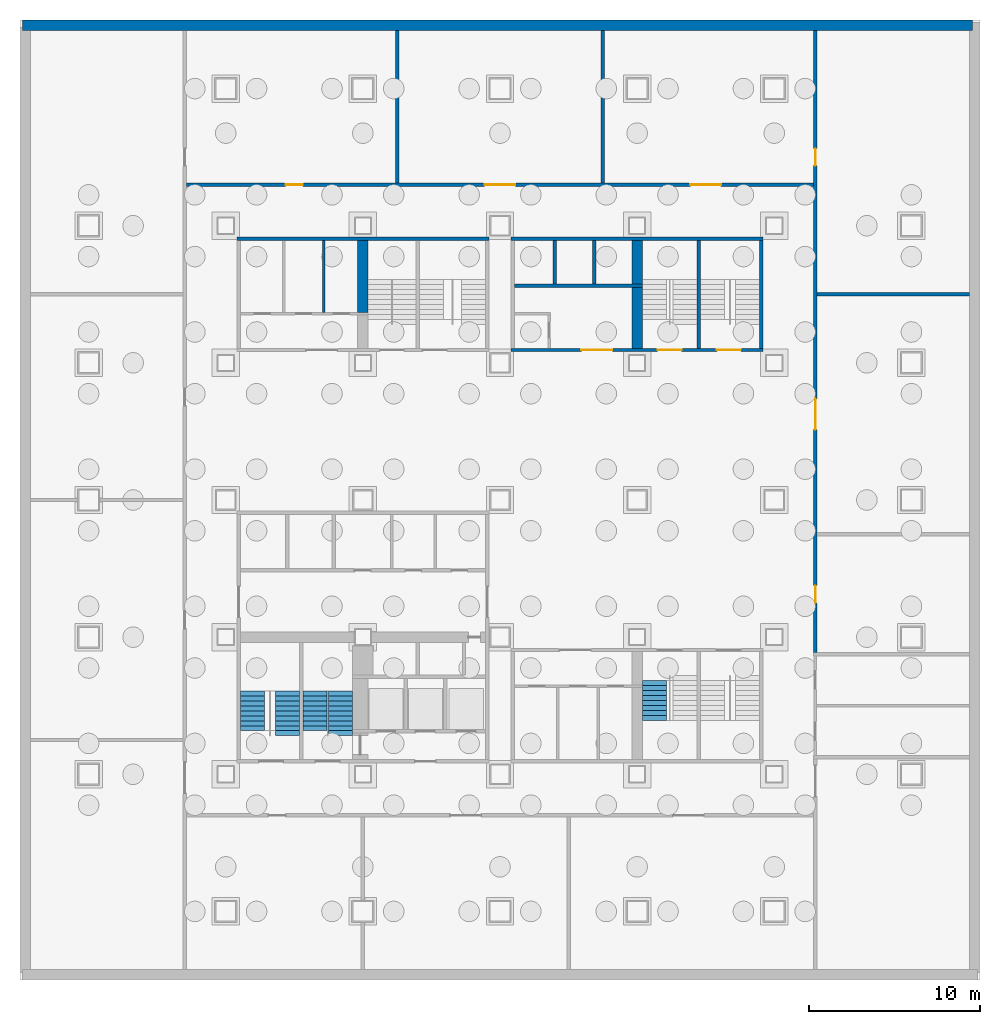
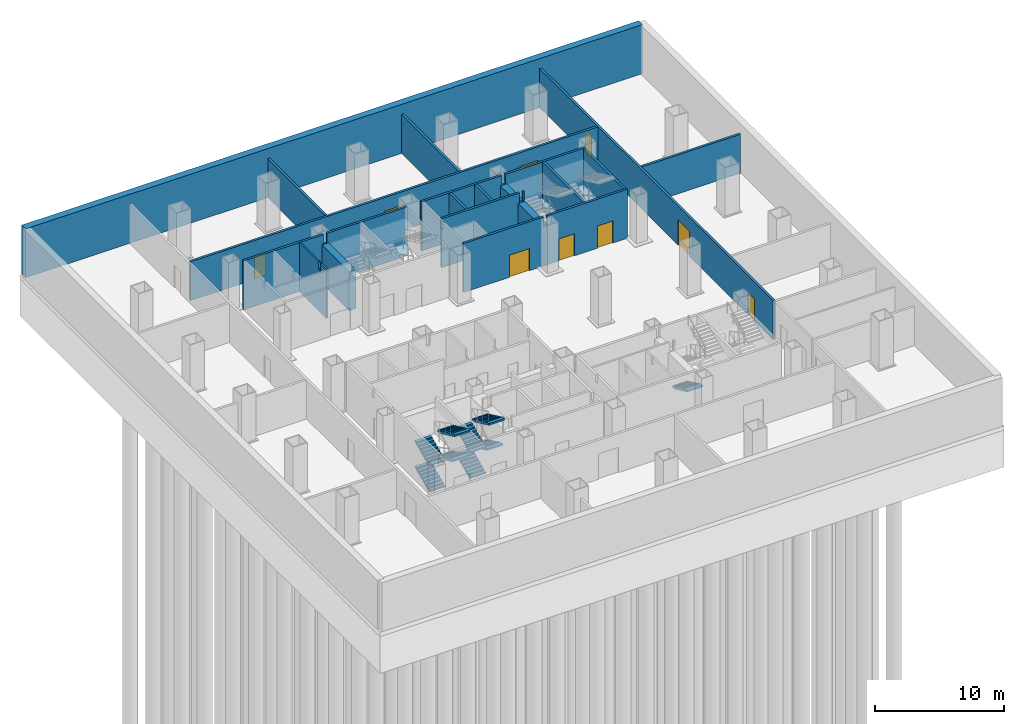
# One storey, part 5 of 9: 18 walls, 9 doors, 9 stair flights, 9 openings, 3 elements without a shape of their own.
"""IFC4 building model written with IfcOpenShell, lengths in metres."""

from ifc_helpers import new_model, si_unit, direction, frame, frame_2d, origin, place, context, subcontext, project, spatial, polyline, rectangle, outline, extrude, material, layer, layer_set, type_object, element, fill, aggregate, save


model = new_model("IFC4")

# Units and contexts
model_context = context("Model", 3, precision=1e-05, world=origin(), true_north=direction((0.0, 1.0)))
body_context = subcontext(model_context, "Body", "Model", "MODEL_VIEW")
ifc_project = project(units=[si_unit("LENGTHUNIT", "METRE"), si_unit("AREAUNIT", "SQUARE_METRE"), si_unit("VOLUMEUNIT", "CUBIC_METRE"), si_unit("PLANEANGLEUNIT", "RADIAN"), si_unit("MASSUNIT", "GRAM", prefix="KILO")], contexts=[model_context])

# Site, building, storey
site_placement = place(None, origin())
site = spatial("IfcSite", under=ifc_project, at=site_placement, CompositionType="ELEMENT")
building_placement = place(site_placement, origin())
building = spatial("IfcBuilding", under=site, at=building_placement, Name="Immortelle Media Tower", CompositionType="ELEMENT")
storey_placement = place(building_placement, frame((0.0, 0.0, -5.0)))
storey = spatial("IfcBuildingStorey", under=building, at=storey_placement, Name="B1", CompositionType="ELEMENT", Elevation=-5.0)

# Walls
ifc_material_1 = material(Name="Fire-rated gypsum board", Category="gypsum")
ifc_layer_1 = layer(ifc_material_1, 0.02490234375)
ifc_material_2 = material(Name="Steel ASTM A653 SS Gr 50 stud frame with mineral wool", Category="steel")
ifc_layer_2 = layer(ifc_material_2, 0.10009765625)
ifc_layer_3 = layer(ifc_material_1, 0.02490234375)
ifc_layer_set_1 = layer_set([ifc_layer_1, ifc_layer_2, ifc_layer_3], Name="Steel ASTM A653 SS Gr 50 stud frame with mineral wool")
wall_type_1 = type_object("IfcWallType", Name="Core partition 150", PredefinedType="PARTITIONING", material=ifc_layer_set_1)
wall_1_placement = place(storey_placement, frame((13.72509765625, 34.949951171875, 0.0), z_axis=(0.0, 0.0, 1.0), x_axis=(0.0, 1.0, 0.0)))
element("IfcWall", 1, at=wall_1_placement, inside=storey, type_object=wall_type_1, Name="Core partition NW", PredefinedType="PARTITIONING", context=body_context, shape_type="SweptSolid", body=[
    extrude(outline(polyline([(0.0, 0.0), (4.199951171875, 0.0), (4.199951171875, 4.64990234375), (1.18359375, 4.64990234375), (1.1826171875, 3.950927734375), (0.91748046875, 3.950927734375), (0.91650390625, 4.64990234375), (0.0, 4.64990234375), (0.0, 0.0)])), frame((0.0, 0.074951171875, 0.0), z_axis=(0.0, -1.0, 0.0), x_axis=(1.0, 0.0, 0.0)), (0.0, 0.0, 1.0), 0.14990234375),
])
ifc_layer_4 = layer(ifc_material_1, 0.03759765625)
ifc_layer_5 = layer(ifc_material_2, 0.125)
ifc_layer_6 = layer(ifc_material_1, 0.03759765625)
ifc_layer_set_2 = layer_set([ifc_layer_4, ifc_layer_5, ifc_layer_6], Name="Steel ASTM A653 SS Gr 50 stud frame with mineral wool")
wall_type_2 = type_object("IfcWallType", Name="Core shaft wall 200", PredefinedType="PARTITIONING", material=ifc_layer_set_2)
wall_2_placement = place(storey_placement, frame((24.85009765625, 36.5, 0.0), z_axis=(0.0, 0.0, 1.0), x_axis=(1.0, 0.0, 0.0)))
element("IfcWall", 2, at=wall_2_placement, inside=storey, type_object=wall_type_2, Name="Core shaft wall NE", PredefinedType="PARTITIONING", context=body_context, shape_type="SweptSolid", body=[
    extrude(outline(polyline([(0.0, 0.0), (7.449951171875, 0.0), (7.449951171875, 4.64990234375), (7.30859375, 4.64990234375), (7.3076171875, 3.717041015625), (6.992431640625, 3.717041015625), (6.991455078125, 4.64990234375), (0.0, 4.64990234375), (0.0, 0.0)])), frame((0.0, 0.10009765625, 0.0), z_axis=(0.0, -1.0, 0.0), x_axis=(1.0, 0.0, 0.0)), (0.0, 0.0, 1.0), 0.199951171875),
])
for number, where, z_axis, x_axis, name in (
    (3, (27.199951171875, 36.60009765625, 0.0), (0.0, 0.0, 1.0), (0.0, 1.0, 0.0), "Core shaft wall NE"),
    (4, (29.5, 36.60009765625, 0.0), (0.0, 0.0, 1.0), (0.0, 1.0, 0.0), "Core shaft wall NE"),
):
    element("IfcWall", number, at=place(storey_placement, frame(where, z_axis=z_axis, x_axis=x_axis)), inside=storey, type_object=wall_type_2, Name=name, PredefinedType="PARTITIONING", context=body_context, shape_type="SweptSolid", body=[
        extrude(rectangle(XDim=2.5498046875, YDim=0.199951171875, at=frame_2d((1.27490234375, 0.0))), origin(), (0.0, 0.0, 1.0), 4.64990234375),
    ])

# Wall, openings, doors
ifc_layer_7 = layer(ifc_material_1, 0.03759765625)
ifc_layer_8 = layer(ifc_material_2, 0.125)
ifc_layer_9 = layer(ifc_material_1, 0.03759765625)
ifc_layer_set_3 = layer_set([ifc_layer_7, ifc_layer_8, ifc_layer_9], Name="Steel ASTM A653 SS Gr 50 stud frame with mineral wool")
wall_type_3 = type_object("IfcWallType", Name="Fire-resisting wall 200", PredefinedType="PARTITIONING", material=ifc_layer_set_3)
wall_3_placement = place(storey_placement, frame((5.699951171875, 42.39990234375, 0.0), z_axis=(0.0, 0.0, 1.0), x_axis=(1.0, 0.0, 0.0)))
wall_3 = element("IfcWall", 5, at=wall_3_placement, inside=storey, type_object=wall_type_3, Name="Fire-resisting wall B1-9", PredefinedType="PARTITIONING", context=body_context, shape_type="SweptSolid", body=[
    extrude(rectangle(XDim=36.60009765625, YDim=0.199951171875, at=frame_2d((18.300048828125, 0.0))), origin(), (0.0, 0.0, 1.0), 3.699951171875),
])
opening_1_placement = place(wall_3_placement, frame((6.800048828125, 0.0, 0.0), z_axis=(0.0, 0.0, 1.0), x_axis=(-1.0, 0.0, 0.0)))
opening_1 = element("IfcOpeningElement", 6, at=opening_1_placement, cuts=wall_3, Name="Opening B1-X14", PredefinedType="OPENING", context=body_context, shape_type="SweptSolid", body=[
    extrude(rectangle(XDim=1.0, YDim=2.10009765625, at=frame_2d((0.5, 1.050048828125))), frame((0.0, 0.10986328125, 0.0), z_axis=(0.0, -1.0, 0.0), x_axis=(1.0, 0.0, 0.0)), (0.0, 0.0, 1.0), 0.219970703125),
])
opening_2_placement = place(wall_3_placement, frame((17.39990234375, 0.0, 0.0)))
opening_2 = element("IfcOpeningElement", 7, at=opening_2_placement, cuts=wall_3, Name="Opening B1-X15", PredefinedType="OPENING", context=body_context, shape_type="SweptSolid", body=[
    extrude(rectangle(XDim=1.800048828125, YDim=2.39990234375, at=frame_2d((0.89990234375, 1.199951171875))), frame((0.0, 0.10986328125, 0.0), z_axis=(0.0, -1.0, 0.0), x_axis=(1.0, 0.0, 0.0)), (0.0, 0.0, 1.0), 0.219970703125),
])
opening_3_placement = place(wall_3_placement, frame((29.39990234375, 0.0, 0.0)))
opening_3 = element("IfcOpeningElement", 8, at=opening_3_placement, cuts=wall_3, Name="Opening B1-X16", PredefinedType="OPENING", context=body_context, shape_type="SweptSolid", body=[
    extrude(rectangle(XDim=1.800048828125, YDim=2.39990234375, at=frame_2d((0.89990234375, 1.199951171875))), frame((0.0, 0.10986328125, 0.0), z_axis=(0.0, -1.0, 0.0), x_axis=(1.0, 0.0, 0.0)), (0.0, 0.0, 1.0), 0.219970703125),
])
ifc_material_3 = material(Name="Galvanised steel door leaf and frame ASTM A653", Category="steel")
door_type_1 = type_object("IfcDoorType", Name="Fire door 1000 x 2100", OperationType="NOTDEFINED", PredefinedType="DOOR", material=ifc_material_3)
door_1_placement = place(opening_1_placement, origin())
door_1 = element("IfcDoor", 9, at=door_1_placement, inside=storey, type_object=door_type_1, Name="Door B1-X14", OperationType="SINGLE_SWING_RIGHT", OverallHeight=2.10009765625, OverallWidth=1.0, PredefinedType="DOOR", context=body_context, shape_type="SweptSolid", body=[
    extrude(rectangle(XDim=1.0, YDim=2.10009765625, at=frame_2d((0.5, 1.050048828125))), frame((0.0, 0.02490234375, 0.0), z_axis=(0.0, -1.0, 0.0), x_axis=(1.0, 0.0, 0.0)), (0.0, 0.0, 1.0), 0.050048828125),
])
fill(opening_1, door_1)
door_type_2 = type_object("IfcDoorType", Name="Fire double door 1800 x 2400", OperationType="DOUBLE_DOOR_SINGLE_SWING", PredefinedType="DOOR", material=ifc_material_3)
door_2_placement = place(opening_2_placement, origin())
door_2 = element("IfcDoor", 10, at=door_2_placement, inside=storey, type_object=door_type_2, Name="Door B1-X15", OperationType="DOUBLE_DOOR_SINGLE_SWING", OverallHeight=2.39990234375, OverallWidth=1.800048828125, PredefinedType="DOOR", context=body_context, shape_type="SweptSolid", body=[
    extrude(rectangle(XDim=1.800048828125, YDim=2.39990234375, at=frame_2d((0.89990234375, 1.199951171875))), frame((0.0, 0.02490234375, 0.0), z_axis=(0.0, -1.0, 0.0), x_axis=(1.0, 0.0, 0.0)), (0.0, 0.0, 1.0), 0.050048828125),
])
fill(opening_2, door_2)
door_3_placement = place(opening_3_placement, origin())
door_3 = element("IfcDoor", 11, at=door_3_placement, inside=storey, type_object=door_type_2, Name="Door B1-X16", OperationType="DOUBLE_DOOR_SINGLE_SWING", OverallHeight=2.39990234375, OverallWidth=1.800048828125, PredefinedType="DOOR", context=body_context, shape_type="SweptSolid", body=[
    extrude(rectangle(XDim=1.800048828125, YDim=2.39990234375, at=frame_2d((0.89990234375, 1.199951171875))), frame((0.0, 0.02490234375, 0.0), z_axis=(0.0, -1.0, 0.0), x_axis=(1.0, 0.0, 0.0)), (0.0, 0.0, 1.0), 0.050048828125),
])
fill(opening_3, door_3)

# Walls
for number, where, z_axis, x_axis, name in (
    (12, (18.0, 42.5, 0.0), (0.0, 0.0, 1.0), (0.0, 1.0, 0.0), "Fire-resisting wall B1-11"),
    (13, (30.0, 42.5, 0.0), (0.0, 0.0, 1.0), (0.0, 1.0, 0.0), "Fire-resisting wall B1-13"),
):
    element("IfcWall", number, at=place(storey_placement, frame(where, z_axis=z_axis, x_axis=x_axis)), inside=storey, type_object=wall_type_3, Name=name, PredefinedType="PARTITIONING", context=body_context, shape_type="SweptSolid", body=[
        extrude(rectangle(XDim=8.89990234375, YDim=0.199951171875, at=frame_2d((4.449951171875, 0.0))), origin(), (0.0, 0.0, 1.0), 3.699951171875),
    ])

# Wall, openings, doors
wall_4_placement = place(storey_placement, frame((42.39990234375, 15.10009765625, 0.0), z_axis=(0.0, 0.0, 1.0), x_axis=(0.0, 1.0, 0.0)))
wall_4 = element("IfcWall", 14, at=wall_4_placement, inside=storey, type_object=wall_type_3, Name="Fire-resisting wall B1-18", PredefinedType="PARTITIONING", context=body_context, shape_type="SweptSolid", body=[
    extrude(rectangle(XDim=36.2998046875, YDim=0.199951171875, at=frame_2d((18.14990234375, 0.0))), origin(), (0.0, 0.0, 1.0), 3.699951171875),
])
opening_4_placement = place(wall_4_placement, frame((2.89990234375, 0.0, 0.0)))
opening_4 = element("IfcOpeningElement", 15, at=opening_4_placement, cuts=wall_4, Name="Opening B1-X11", PredefinedType="OPENING", context=body_context, shape_type="SweptSolid", body=[
    extrude(rectangle(XDim=1.0, YDim=2.10009765625, at=frame_2d((0.5, 1.050048828125))), frame((0.0, 0.10986328125, 0.0), z_axis=(0.0, -1.0, 0.0), x_axis=(1.0, 0.0, 0.0)), (0.0, 0.0, 1.0), 0.219970703125),
])
opening_5_placement = place(wall_4_placement, frame((13.0, 0.0, 0.0)))
opening_5 = element("IfcOpeningElement", 16, at=opening_5_placement, cuts=wall_4, Name="Opening B1-X12", PredefinedType="OPENING", context=body_context, shape_type="SweptSolid", body=[
    extrude(rectangle(XDim=1.800048828125, YDim=2.39990234375, at=frame_2d((0.89990234375, 1.199951171875))), frame((0.0, 0.10986328125, 0.0), z_axis=(0.0, -1.0, 0.0), x_axis=(1.0, 0.0, 0.0)), (0.0, 0.0, 1.0), 0.219970703125),
])
opening_6_placement = place(wall_4_placement, frame((28.39990234375, 0.0, 0.0)))
opening_6 = element("IfcOpeningElement", 17, at=opening_6_placement, cuts=wall_4, Name="Opening B1-X13", PredefinedType="OPENING", context=body_context, shape_type="SweptSolid", body=[
    extrude(rectangle(XDim=1.0, YDim=2.10009765625, at=frame_2d((0.5, 1.050048828125))), frame((0.0, 0.10986328125, 0.0), z_axis=(0.0, -1.0, 0.0), x_axis=(1.0, 0.0, 0.0)), (0.0, 0.0, 1.0), 0.219970703125),
])
door_4_placement = place(opening_4_placement, origin())
door_4 = element("IfcDoor", 18, at=door_4_placement, inside=storey, type_object=door_type_1, Name="Door B1-X11", OperationType="SINGLE_SWING_LEFT", OverallHeight=2.10009765625, OverallWidth=1.0, PredefinedType="DOOR", context=body_context, shape_type="SweptSolid", body=[
    extrude(rectangle(XDim=1.0, YDim=2.10009765625, at=frame_2d((0.5, 1.050048828125))), frame((0.0, 0.02490234375, 0.0), z_axis=(0.0, -1.0, 0.0), x_axis=(1.0, 0.0, 0.0)), (0.0, 0.0, 1.0), 0.050048828125),
])
fill(opening_4, door_4)
door_5_placement = place(opening_6_placement, origin())
door_5 = element("IfcDoor", 19, at=door_5_placement, inside=storey, type_object=door_type_1, Name="Door B1-X13", OperationType="SINGLE_SWING_LEFT", OverallHeight=2.10009765625, OverallWidth=1.0, PredefinedType="DOOR", context=body_context, shape_type="SweptSolid", body=[
    extrude(rectangle(XDim=1.0, YDim=2.10009765625, at=frame_2d((0.5, 1.050048828125))), frame((0.0, 0.02490234375, 0.0), z_axis=(0.0, -1.0, 0.0), x_axis=(1.0, 0.0, 0.0)), (0.0, 0.0, 1.0), 0.050048828125),
])
fill(opening_6, door_5)
door_6_placement = place(opening_5_placement, origin())
door_6 = element("IfcDoor", 20, at=door_6_placement, inside=storey, type_object=door_type_2, Name="Door B1-X12", OperationType="DOUBLE_DOOR_SINGLE_SWING", OverallHeight=2.39990234375, OverallWidth=1.800048828125, PredefinedType="DOOR", context=body_context, shape_type="SweptSolid", body=[
    extrude(rectangle(XDim=1.800048828125, YDim=2.39990234375, at=frame_2d((0.89990234375, 1.199951171875))), frame((0.0, 0.02490234375, 0.0), z_axis=(0.0, -1.0, 0.0), x_axis=(1.0, 0.0, 0.0)), (0.0, 0.0, 1.0), 0.050048828125),
])
fill(opening_5, door_6)

# Walls
wall_5_placement = place(storey_placement, frame((42.5, 36.0, 0.0), z_axis=(0.0, 0.0, 1.0), x_axis=(1.0, 0.0, 0.0)))
element("IfcWall", 21, at=wall_5_placement, inside=storey, type_object=wall_type_3, Name="Fire-resisting wall B1-21", PredefinedType="PARTITIONING", context=body_context, shape_type="SweptSolid", body=[
    extrude(rectangle(XDim=8.89990234375, YDim=0.199951171875, at=frame_2d((4.449951171875, 0.0))), origin(), (0.0, 0.0, 1.0), 3.699951171875),
])
ifc_material_4 = material(Name="Concrete C60", Category="concrete")
ifc_layer_10 = layer(ifc_material_4, 0.60009765625)
ifc_layer_set_4 = layer_set([ifc_layer_10], Name="Concrete C60")
wall_type_4 = type_object("IfcWallType", Name="Retaining wall 600", PredefinedType="SOLIDWALL", material=ifc_layer_set_4)
wall_6_placement = place(storey_placement, frame((-3.85009765625, 51.699951171875, 0.0), z_axis=(0.0, 0.0, 1.0), x_axis=(1.0, 0.0, 0.0)))
element("IfcWall", 22, at=wall_6_placement, inside=storey, type_object=wall_type_4, Name="Retaining wall 3", PredefinedType="SOLIDWALL", context=body_context, shape_type="SweptSolid", body=[
    extrude(rectangle(XDim=55.400146484375, YDim=0.60009765625, at=frame_2d((27.7001953125, 0.0))), origin(), (0.0, 0.0, 1.0), 4.64990234375),
])
ifc_layer_11 = layer(ifc_material_4, 0.199951171875)
ifc_layer_set_5 = layer_set([ifc_layer_11], Name="Concrete C60")
wall_type_5 = type_object("IfcWallType", Name="Stair shaft wall 200", PredefinedType="PARTITIONING", material=ifc_layer_set_5)
wall_7_placement = place(storey_placement, frame((8.64990234375, 39.25, 0.0), z_axis=(0.0, 0.0, 1.0), x_axis=(1.0, 0.0, 0.0)))
element("IfcWall", 23, at=wall_7_placement, inside=storey, type_object=wall_type_5, Name="Stair shaft wall NW", PredefinedType="PARTITIONING", context=body_context, shape_type="SweptSolid", body=[
    extrude(outline(polyline([(0.0, 0.0), (14.7001953125, 0.0), (14.699951171875, 4.64990234375), (7.508544921875, 4.64990234375), (7.507568359375, 3.717041015625), (7.1923828125, 3.717041015625), (7.19140625, 4.64990234375), (0.0, 4.64990234375), (0.0, 0.0)])), frame((0.0, 0.10009765625, 0.0), z_axis=(0.0, -1.0, 0.0), x_axis=(1.0, 0.0, 0.0)), (0.0, 0.0, 1.0), 0.199951171875),
])

# Wall, openings, doors
wall_8_placement = place(storey_placement, frame((24.64990234375, 32.75, 0.0), z_axis=(0.0, 0.0, 1.0), x_axis=(1.0, 0.0, 0.0)))
wall_8 = element("IfcWall", 24, at=wall_8_placement, inside=storey, type_object=wall_type_5, Name="Stair shaft wall NE", PredefinedType="PARTITIONING", context=body_context, shape_type="SweptSolid", body=[
    extrude(outline(polyline([(0.0, 0.0), (14.7001953125, 0.0), (14.699951171875, 4.64990234375), (7.508544921875, 4.64990234375), (7.507568359375, 3.717041015625), (7.1923828125, 3.717041015625), (7.19140625, 4.64990234375), (0.0, 4.64990234375), (0.0, 0.0)])), frame((0.0, 0.10009765625, 0.0), z_axis=(0.0, -1.0, 0.0), x_axis=(1.0, 0.0, 0.0)), (0.0, 0.0, 1.0), 0.199951171875),
])
opening_7_placement = place(wall_8_placement, frame((4.10009765625, 0.0, 0.0)))
opening_7 = element("IfcOpeningElement", 25, at=opening_7_placement, cuts=wall_8, Name="Opening B1-K027", PredefinedType="OPENING", context=body_context, shape_type="SweptSolid", body=[
    extrude(rectangle(XDim=1.800048828125, YDim=2.10009765625, at=frame_2d((0.89990234375, 1.050048828125))), frame((0.0, 0.10986328125, 0.0), z_axis=(0.0, -1.0, 0.0), x_axis=(1.0, 0.0, 0.0)), (0.0, 0.0, 1.0), 0.219970703125),
])
opening_8_placement = place(wall_8_placement, frame((8.550048828125, 0.0, 0.0)))
opening_8 = element("IfcOpeningElement", 26, at=opening_8_placement, cuts=wall_8, Name="Opening B1-K028", PredefinedType="OPENING", context=body_context, shape_type="SweptSolid", body=[
    extrude(rectangle(XDim=1.39990234375, YDim=2.10009765625, at=frame_2d((0.699951171875, 1.050048828125))), frame((0.0, 0.10986328125, 0.0), z_axis=(0.0, -1.0, 0.0), x_axis=(1.0, 0.0, 0.0)), (0.0, 0.0, 1.0), 0.219970703125),
])
opening_9_placement = place(wall_8_placement, frame((12.0, 0.0, 0.0)))
opening_9 = element("IfcOpeningElement", 27, at=opening_9_placement, cuts=wall_8, Name="Opening B1-K029", PredefinedType="OPENING", context=body_context, shape_type="SweptSolid", body=[
    extrude(rectangle(XDim=1.39990234375, YDim=2.10009765625, at=frame_2d((0.699951171875, 1.050048828125))), frame((0.0, 0.10986328125, 0.0), z_axis=(0.0, -1.0, 0.0), x_axis=(1.0, 0.0, 0.0)), (0.0, 0.0, 1.0), 0.219970703125),
])
door_type_3 = type_object("IfcDoorType", Name="Lift lobby door 1800 x 2100", OperationType="DOUBLE_DOOR_SINGLE_SWING", PredefinedType="NOTDEFINED", material=ifc_material_3)
door_7_placement = place(opening_7_placement, origin())
door_7 = element("IfcDoor", 28, at=door_7_placement, inside=storey, type_object=door_type_3, Name="Lift lobby B1-K027", OperationType="DOUBLE_DOOR_SINGLE_SWING", OverallHeight=2.10009765625, OverallWidth=1.800048828125, PredefinedType="NOTDEFINED", context=body_context, shape_type="SweptSolid", body=[
    extrude(rectangle(XDim=1.800048828125, YDim=2.10009765625, at=frame_2d((0.89990234375, 1.050048828125))), frame((0.0, 0.02490234375, 0.0), z_axis=(0.0, -1.0, 0.0), x_axis=(1.0, 0.0, 0.0)), (0.0, 0.0, 1.0), 0.050048828125),
])
fill(opening_7, door_7)
door_type_4 = type_object("IfcDoorType", Name="Stair door 1400 x 2100", OperationType="DOUBLE_DOOR_SINGLE_SWING", PredefinedType="NOTDEFINED", material=ifc_material_3)
door_8_placement = place(opening_8_placement, origin())
door_8 = element("IfcDoor", 29, at=door_8_placement, inside=storey, type_object=door_type_4, Name="Stair B1-K028", OperationType="DOUBLE_DOOR_SINGLE_SWING", OverallHeight=2.10009765625, OverallWidth=1.39990234375, PredefinedType="NOTDEFINED", context=body_context, shape_type="SweptSolid", body=[
    extrude(rectangle(XDim=1.39990234375, YDim=2.10009765625, at=frame_2d((0.699951171875, 1.050048828125))), frame((0.0, 0.02490234375, 0.0), z_axis=(0.0, -1.0, 0.0), x_axis=(1.0, 0.0, 0.0)), (0.0, 0.0, 1.0), 0.050048828125),
])
fill(opening_8, door_8)
door_9_placement = place(opening_9_placement, origin())
door_9 = element("IfcDoor", 30, at=door_9_placement, inside=storey, type_object=door_type_4, Name="Stair B1-K029", OperationType="DOUBLE_DOOR_SINGLE_SWING", OverallHeight=2.10009765625, OverallWidth=1.39990234375, PredefinedType="NOTDEFINED", context=body_context, shape_type="SweptSolid", body=[
    extrude(rectangle(XDim=1.39990234375, YDim=2.10009765625, at=frame_2d((0.699951171875, 1.050048828125))), frame((0.0, 0.02490234375, 0.0), z_axis=(0.0, -1.0, 0.0), x_axis=(1.0, 0.0, 0.0)), (0.0, 0.0, 1.0), 0.050048828125),
])
fill(opening_9, door_9)

# Walls
wall_9_placement = place(storey_placement, frame((24.64990234375, 39.25, 0.0), z_axis=(0.0, 0.0, 1.0), x_axis=(1.0, 0.0, 0.0)))
element("IfcWall", 31, at=wall_9_placement, inside=storey, type_object=wall_type_5, Name="Stair shaft wall NE", PredefinedType="PARTITIONING", context=body_context, shape_type="SweptSolid", body=[
    extrude(outline(polyline([(0.0, 0.0), (14.7001953125, 0.0), (14.699951171875, 4.64990234375), (7.508544921875, 4.64990234375), (7.507568359375, 3.717041015625), (7.1923828125, 3.717041015625), (7.19140625, 4.64990234375), (0.0, 4.64990234375), (0.0, 0.0)])), frame((0.0, 0.10009765625, 0.0), z_axis=(0.0, -1.0, 0.0), x_axis=(1.0, 0.0, 0.0)), (0.0, 0.0, 1.0), 0.199951171875),
])
for number, where, z_axis, x_axis, name in (
    (32, (35.60009765625, 32.85009765625, 0.0), (0.0, 0.0, 1.0), (0.0, 1.0, 0.0), "Stair shaft wall NE"),
    (33, (39.25, 32.85009765625, 0.0), (0.0, 0.0, 1.0), (0.0, 1.0, 0.0), "Stair shaft wall NE"),
):
    element("IfcWall", number, at=place(storey_placement, frame(where, z_axis=z_axis, x_axis=x_axis)), inside=storey, type_object=wall_type_5, Name=name, PredefinedType="PARTITIONING", context=body_context, shape_type="SweptSolid", body=[
        extrude(rectangle(XDim=6.2998046875, YDim=0.199951171875, at=frame_2d((3.14990234375, 0.0))), origin(), (0.0, 0.0, 1.0), 4.64990234375),
    ])
ifc_layer_12 = layer(ifc_material_4, 0.60009765625)
ifc_layer_set_6 = layer_set([ifc_layer_12], Name="Concrete C60")
wall_type_6 = type_object("IfcWallType", Name="Stair shaft wall 600", PredefinedType="PARTITIONING", material=ifc_layer_set_6)
wall_10_placement = place(storey_placement, frame((16.0, 34.949951171875, 0.0), z_axis=(0.0, 0.0, 1.0), x_axis=(0.0, 1.0, 0.0)))
element("IfcWall", 34, at=wall_10_placement, inside=storey, type_object=wall_type_6, Name="Stair shaft wall NW", PredefinedType="PARTITIONING", context=body_context, shape_type="SweptSolid", body=[
    extrude(rectangle(XDim=4.199951171875, YDim=0.60009765625, at=frame_2d((2.10009765625, 0.0))), origin(), (0.0, 0.0, 1.0), 3.717041015625),
])
wall_11_placement = place(storey_placement, frame((32.0, 32.85009765625, 0.0), z_axis=(0.0, 0.0, 1.0), x_axis=(0.0, 1.0, 0.0)))
element("IfcWall", 35, at=wall_11_placement, inside=storey, type_object=wall_type_6, Name="Stair shaft wall NE", PredefinedType="PARTITIONING", context=body_context, shape_type="SweptSolid", body=[
    extrude(rectangle(XDim=3.5498046875, YDim=0.60009765625, at=frame_2d((1.77490234375, 0.0))), origin(), (0.0, 0.0, 1.0), 3.717041015625),
])
wall_12_placement = place(storey_placement, frame((32.0, 36.60009765625, 0.0), z_axis=(0.0, 0.0, 1.0), x_axis=(0.0, 1.0, 0.0)))
element("IfcWall", 36, at=wall_12_placement, inside=storey, type_object=wall_type_6, Name="Stair shaft wall NE", PredefinedType="PARTITIONING", context=body_context, shape_type="SweptSolid", body=[
    extrude(rectangle(XDim=2.5498046875, YDim=0.60009765625, at=frame_2d((1.27490234375, 0.0))), origin(), (0.0, 0.0, 1.0), 3.717041015625),
])

# Stair, stair flights
ifc_material_5 = material(Name="Steel ASTM A992 Gr 50", Category="steel")
stair_type = type_object("IfcStairType", Name="Stair with flights", PredefinedType="DOUBLE_RETURN_STAIR", material=ifc_material_5)
stair_1_placement = place(storey_placement, origin())
stair_1 = element("IfcStair", 37, at=stair_1_placement, inside=storey, type_object=stair_type, Name="Exit stair SW1", PredefinedType="DOUBLE_RETURN_STAIR")
stair_flight_type = type_object("IfcStairFlightType", Name="Stair flight 1400", PredefinedType="STRAIGHT", material=ifc_material_5)
stair_flight_1_placement = place(storey_placement, frame((9.550048828125, 10.5400390625, 0.0), z_axis=(0.0, 0.0, 1.0), x_axis=(0.0, 1.0, 0.0)))
stair_flight_1 = element("IfcStairFlight", 38, at=stair_flight_1_placement, type_object=stair_flight_type, Name="ST SW1 flight 1", NumberOfRisers=9, NumberOfTreads=8, PredefinedType="STRAIGHT", RiserHeight=0.135135135, TreadLength=0.29, context=body_context, shape_type="SweptSolid", body=[
    extrude(outline(polyline([(0.0, 0.0), (0.0, 0.13525390625), (0.2900390625, 0.13525390625), (0.2900390625, 0.270263671875), (0.580078125, 0.270263671875), (0.580078125, 0.405517578125), (0.8701171875, 0.405517578125), (0.8701171875, 0.54052734375), (1.159912109375, 0.54052734375), (1.159912109375, 0.67578125), (1.449951171875, 0.67578125), (1.449951171875, 0.810791015625), (1.739990234375, 0.810791015625), (1.739990234375, 0.946044921875), (2.030029296875, 0.946044921875), (2.030029296875, 1.0810546875), (2.320068359375, 1.0810546875), (2.320068359375, 1.21630859375), (2.320068359375, 0.915771484375), (0.35498046875, 0.0), (0.0, 0.0)])), frame((0.0, 0.699951171875, 0.0), z_axis=(0.0, -1.0, 0.0), x_axis=(1.0, 0.0, 0.0)), (0.0, 0.0, 1.0), 1.39990234375),
])
stair_flight_2_placement = place(storey_placement, frame((11.60009765625, 12.860107421875, 1.21630859375), z_axis=(0.0, 0.0, 1.0), x_axis=(0.0, -1.0, 0.0)))
stair_flight_2 = element("IfcStairFlight", 39, at=stair_flight_2_placement, type_object=stair_flight_type, Name="ST SW1 flight 2", NumberOfRisers=9, NumberOfTreads=8, PredefinedType="STRAIGHT", RiserHeight=0.135135135, TreadLength=0.29, context=body_context, shape_type="SweptSolid", body=[
    extrude(outline(polyline([(0.0, 0.0), (0.0, 0.13525390625), (0.2900390625, 0.13525390625), (0.2900390625, 0.270263671875), (0.580078125, 0.270263671875), (0.580078125, 0.405517578125), (0.8701171875, 0.405517578125), (0.8701171875, 0.54052734375), (1.159912109375, 0.54052734375), (1.159912109375, 0.67578125), (1.449951171875, 0.67578125), (1.449951171875, 0.810791015625), (1.739990234375, 0.810791015625), (1.739990234375, 0.946044921875), (2.030029296875, 0.946044921875), (2.030029296875, 1.0810546875), (2.320068359375, 1.0810546875), (2.320068359375, 1.21630859375), (2.320068359375, 0.915771484375), (0.35498046875, 0.0), (0.0, 0.0)])), frame((0.0, 0.699951171875, 0.0), z_axis=(0.0, -1.0, 0.0), x_axis=(1.0, 0.0, 0.0)), (0.0, 0.0, 1.0), 1.39990234375),
])
stair_flight_3_placement = place(storey_placement, frame((9.550048828125, 10.5400390625, 2.432373046875), z_axis=(0.0, 0.0, 1.0), x_axis=(0.0, 1.0, 0.0)))
stair_flight_3 = element("IfcStairFlight", 40, at=stair_flight_3_placement, type_object=stair_flight_type, Name="ST SW1 flight 3", NumberOfRisers=9, NumberOfTreads=8, PredefinedType="STRAIGHT", RiserHeight=0.135135135, TreadLength=0.29, context=body_context, shape_type="SweptSolid", body=[
    extrude(outline(polyline([(0.0, 0.0), (0.0, 0.13525390625), (0.2900390625, 0.13525390625), (0.2900390625, 0.270263671875), (0.580078125, 0.270263671875), (0.580078125, 0.405517578125), (0.8701171875, 0.405517578125), (0.8701171875, 0.54052734375), (1.159912109375, 0.54052734375), (1.159912109375, 0.67578125), (1.449951171875, 0.67578125), (1.449951171875, 0.810791015625), (1.739990234375, 0.810791015625), (1.739990234375, 0.946044921875), (2.030029296875, 0.946044921875), (2.030029296875, 1.0810546875), (2.320068359375, 1.0810546875), (2.320068359375, 1.21630859375), (2.320068359375, 0.915771484375), (0.35498046875, 0.0), (0.0, 0.0)])), frame((0.0, 0.699951171875, 0.0), z_axis=(0.0, -1.0, 0.0), x_axis=(1.0, 0.0, 0.0)), (0.0, 0.0, 1.0), 1.39990234375),
])
stair_flight_4_placement = place(storey_placement, frame((11.60009765625, 12.860107421875, 3.648681640625), z_axis=(0.0, 0.0, 1.0), x_axis=(0.0, -1.0, 0.0)))
stair_flight_4 = element("IfcStairFlight", 41, at=stair_flight_4_placement, type_object=stair_flight_type, Name="ST SW1 flight 4", NumberOfRisers=10, NumberOfTreads=9, PredefinedType="STRAIGHT", RiserHeight=0.135135135, TreadLength=0.29, context=body_context, shape_type="SweptSolid", body=[
    extrude(outline(polyline([(0.0, 0.0), (0.0, 0.13525390625), (0.2900390625, 0.13525390625), (0.2900390625, 0.270263671875), (0.580078125, 0.270263671875), (0.580078125, 0.405517578125), (0.8701171875, 0.405517578125), (0.8701171875, 0.54052734375), (1.159912109375, 0.54052734375), (1.159912109375, 0.67578125), (1.449951171875, 0.67578125), (1.449951171875, 0.810791015625), (1.739990234375, 0.810791015625), (1.739990234375, 0.946044921875), (2.030029296875, 0.946044921875), (2.030029296875, 1.0810546875), (2.320068359375, 1.0810546875), (2.320068359375, 1.21630859375), (2.610107421875, 1.21630859375), (2.610107421875, 1.351318359375), (2.610107421875, 1.05078125), (0.35498046875, 0.0), (0.0, 0.0)])), frame((0.0, 0.699951171875, 0.0), z_axis=(0.0, -1.0, 0.0), x_axis=(1.0, 0.0, 0.0)), (0.0, 0.0, 1.0), 1.39990234375),
])
aggregate(stair_1, [stair_flight_1, stair_flight_2, stair_flight_3, stair_flight_4])

stair_2_placement = place(storey_placement, origin())
stair_2 = element("IfcStair", 42, at=stair_2_placement, inside=storey, type_object=stair_type, Name="Exit stair SW2", PredefinedType="DOUBLE_RETURN_STAIR")
stair_flight_5_placement = place(storey_placement, frame((13.199951171875, 10.5400390625, 0.0), z_axis=(0.0, 0.0, 1.0), x_axis=(0.0, 1.0, 0.0)))
stair_flight_5 = element("IfcStairFlight", 43, at=stair_flight_5_placement, type_object=stair_flight_type, Name="ST SW2 flight 1", NumberOfRisers=9, NumberOfTreads=8, PredefinedType="STRAIGHT", RiserHeight=0.135135135, TreadLength=0.29, context=body_context, shape_type="SweptSolid", body=[
    extrude(outline(polyline([(0.0, 0.0), (0.0, 0.13525390625), (0.2900390625, 0.13525390625), (0.2900390625, 0.270263671875), (0.580078125, 0.270263671875), (0.580078125, 0.405517578125), (0.8701171875, 0.405517578125), (0.8701171875, 0.54052734375), (1.159912109375, 0.54052734375), (1.159912109375, 0.67578125), (1.449951171875, 0.67578125), (1.449951171875, 0.810791015625), (1.739990234375, 0.810791015625), (1.739990234375, 0.946044921875), (2.030029296875, 0.946044921875), (2.030029296875, 1.0810546875), (2.320068359375, 1.0810546875), (2.320068359375, 1.21630859375), (2.320068359375, 0.915771484375), (0.35498046875, 0.0), (0.0, 0.0)])), frame((0.0, 0.699951171875, 0.0), z_axis=(0.0, -1.0, 0.0), x_axis=(1.0, 0.0, 0.0)), (0.0, 0.0, 1.0), 1.39990234375),
])
stair_flight_6_placement = place(storey_placement, frame((14.699951171875, 12.860107421875, 1.21630859375), z_axis=(0.0, 0.0, 1.0), x_axis=(0.0, -1.0, 0.0)))
stair_flight_6 = element("IfcStairFlight", 44, at=stair_flight_6_placement, type_object=stair_flight_type, Name="ST SW2 flight 2", NumberOfRisers=9, NumberOfTreads=8, PredefinedType="STRAIGHT", RiserHeight=0.135135135, TreadLength=0.29, context=body_context, shape_type="SweptSolid", body=[
    extrude(outline(polyline([(0.0, 0.0), (0.0, 0.13525390625), (0.2900390625, 0.13525390625), (0.2900390625, 0.270263671875), (0.580078125, 0.270263671875), (0.580078125, 0.405517578125), (0.8701171875, 0.405517578125), (0.8701171875, 0.54052734375), (1.159912109375, 0.54052734375), (1.159912109375, 0.67578125), (1.449951171875, 0.67578125), (1.449951171875, 0.810791015625), (1.739990234375, 0.810791015625), (1.739990234375, 0.946044921875), (2.030029296875, 0.946044921875), (2.030029296875, 1.0810546875), (2.320068359375, 1.0810546875), (2.320068359375, 1.21630859375), (2.320068359375, 0.915771484375), (0.35498046875, 0.0), (0.0, 0.0)])), frame((0.0, 0.699951171875, 0.0), z_axis=(0.0, -1.0, 0.0), x_axis=(1.0, 0.0, 0.0)), (0.0, 0.0, 1.0), 1.39990234375),
])
stair_flight_7_placement = place(storey_placement, frame((13.199951171875, 10.5400390625, 2.432373046875), z_axis=(0.0, 0.0, 1.0), x_axis=(0.0, 1.0, 0.0)))
stair_flight_7 = element("IfcStairFlight", 45, at=stair_flight_7_placement, type_object=stair_flight_type, Name="ST SW2 flight 3", NumberOfRisers=9, NumberOfTreads=8, PredefinedType="STRAIGHT", RiserHeight=0.135135135, TreadLength=0.29, context=body_context, shape_type="SweptSolid", body=[
    extrude(outline(polyline([(0.0, 0.0), (0.0, 0.13525390625), (0.2900390625, 0.13525390625), (0.2900390625, 0.270263671875), (0.580078125, 0.270263671875), (0.580078125, 0.405517578125), (0.8701171875, 0.405517578125), (0.8701171875, 0.54052734375), (1.159912109375, 0.54052734375), (1.159912109375, 0.67578125), (1.449951171875, 0.67578125), (1.449951171875, 0.810791015625), (1.739990234375, 0.810791015625), (1.739990234375, 0.946044921875), (2.030029296875, 0.946044921875), (2.030029296875, 1.0810546875), (2.320068359375, 1.0810546875), (2.320068359375, 1.21630859375), (2.320068359375, 0.915771484375), (0.35498046875, 0.0), (0.0, 0.0)])), frame((0.0, 0.699951171875, 0.0), z_axis=(0.0, -1.0, 0.0), x_axis=(1.0, 0.0, 0.0)), (0.0, 0.0, 1.0), 1.39990234375),
])
stair_flight_8_placement = place(storey_placement, frame((14.699951171875, 12.860107421875, 3.648681640625), z_axis=(0.0, 0.0, 1.0), x_axis=(0.0, -1.0, 0.0)))
stair_flight_8 = element("IfcStairFlight", 46, at=stair_flight_8_placement, type_object=stair_flight_type, Name="ST SW2 flight 4", NumberOfRisers=10, NumberOfTreads=9, PredefinedType="STRAIGHT", RiserHeight=0.135135135, TreadLength=0.29, context=body_context, shape_type="SweptSolid", body=[
    extrude(outline(polyline([(0.0, 0.0), (0.0, 0.13525390625), (0.2900390625, 0.13525390625), (0.2900390625, 0.270263671875), (0.580078125, 0.270263671875), (0.580078125, 0.405517578125), (0.8701171875, 0.405517578125), (0.8701171875, 0.54052734375), (1.159912109375, 0.54052734375), (1.159912109375, 0.67578125), (1.449951171875, 0.67578125), (1.449951171875, 0.810791015625), (1.739990234375, 0.810791015625), (1.739990234375, 0.946044921875), (2.030029296875, 0.946044921875), (2.030029296875, 1.0810546875), (2.320068359375, 1.0810546875), (2.320068359375, 1.21630859375), (2.610107421875, 1.21630859375), (2.610107421875, 1.351318359375), (2.610107421875, 1.05078125), (0.35498046875, 0.0), (0.0, 0.0)])), frame((0.0, 0.699951171875, 0.0), z_axis=(0.0, -1.0, 0.0), x_axis=(1.0, 0.0, 0.0)), (0.0, 0.0, 1.0), 1.39990234375),
])
aggregate(stair_2, [stair_flight_5, stair_flight_6, stair_flight_7, stair_flight_8])

# Stair, stair flight
stair_3_placement = place(storey_placement, origin())
stair_3 = element("IfcStair", 47, at=stair_3_placement, inside=storey, type_object=stair_type, Name="Exit stair SE1", PredefinedType="DOUBLE_RETURN_STAIR")
stair_flight_9_placement = place(storey_placement, frame((33.0, 13.4599609375, 0.0), z_axis=(0.0, 0.0, 1.0), x_axis=(0.0, -1.0, 0.0)))
stair_flight_9 = element("IfcStairFlight", 48, at=stair_flight_9_placement, type_object=stair_flight_type, Name="ST SE1 flight 1", NumberOfRisers=9, NumberOfTreads=8, PredefinedType="STRAIGHT", RiserHeight=0.135135135, TreadLength=0.29, context=body_context, shape_type="SweptSolid", body=[
    extrude(outline(polyline([(0.0, 0.0), (0.0, 0.13525390625), (0.2900390625, 0.13525390625), (0.2900390625, 0.270263671875), (0.580078125, 0.270263671875), (0.580078125, 0.405517578125), (0.8701171875, 0.405517578125), (0.8701171875, 0.54052734375), (1.159912109375, 0.54052734375), (1.159912109375, 0.67578125), (1.449951171875, 0.67578125), (1.449951171875, 0.810791015625), (1.739990234375, 0.810791015625), (1.739990234375, 0.946044921875), (2.030029296875, 0.946044921875), (2.030029296875, 1.0810546875), (2.320068359375, 1.0810546875), (2.320068359375, 1.21630859375), (2.320068359375, 0.915771484375), (0.35498046875, 0.0), (0.0, 0.0)])), frame((0.0, 0.699951171875, 0.0), z_axis=(0.0, -1.0, 0.0), x_axis=(1.0, 0.0, 0.0)), (0.0, 0.0, 1.0), 1.39990234375),
])
aggregate(stair_3, [stair_flight_9])

save(model, "model.ifc")
